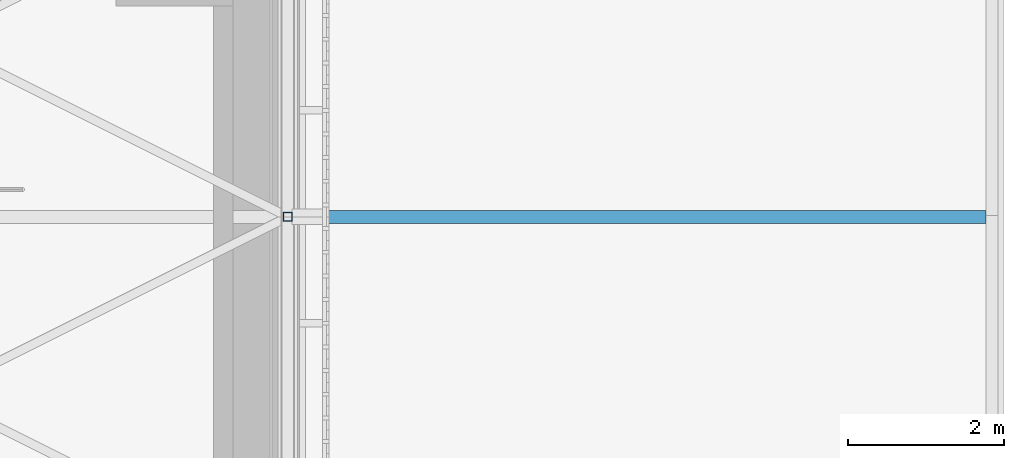
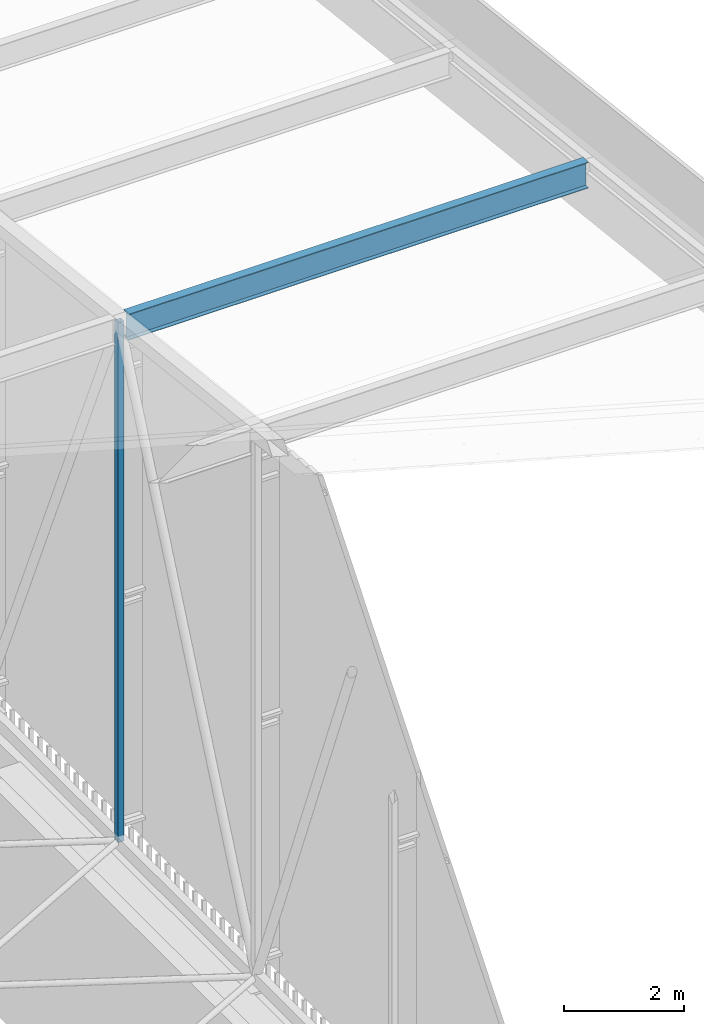
# One storey, part 391 of 500: 2 members.
"""IFC4 building model written with IfcOpenShell, lengths in metres."""

from ifc_helpers import new_model, si_unit, direction, frame, origin, origin_2d, place, context, subcontext, project, spatial, hollow_rectangle, i_section, extrude, material, material_profile, profile_set, type_object, element, save


model = new_model("IFC4")

# Units and contexts
model_context = context("Model", 3, precision=1e-05, world=origin(), true_north=direction((0.0, 1.0)))
body_context = subcontext(model_context, "Body", "Model", "MODEL_VIEW")
ifc_project = project(units=[si_unit("LENGTHUNIT", "METRE"), si_unit("AREAUNIT", "SQUARE_METRE"), si_unit("VOLUMEUNIT", "CUBIC_METRE"), si_unit("PLANEANGLEUNIT", "RADIAN"), si_unit("MASSUNIT", "GRAM", prefix="KILO")], contexts=[model_context])

# Site, building, storey
site_placement = place(None, origin())
site = spatial("IfcSite", under=ifc_project, at=site_placement, CompositionType="ELEMENT")
building_placement = place(site_placement, origin())
building = spatial("IfcBuilding", under=site, at=building_placement, Name="Shirokan Park Arena", CompositionType="ELEMENT")
storey_placement = place(building_placement, frame((0.0, 0.0, 29.1201171875)))
storey = spatial("IfcBuildingStorey", under=building, at=storey_placement, Name="L06", CompositionType="ELEMENT", Elevation=29.1201171875)

# Members
ifc_material_1 = material(Name="Steel ASTM A992", Category="steel")
ifc_material_profile_1 = material_profile(ifc_material_1, i_section(OverallWidth=0.166015625, OverallDepth=0.528076171875, WebThickness=0.009765625, FlangeThickness=0.013671875, at=origin_2d()), Name="W530X74")
ifc_profile_set_1 = profile_set([ifc_material_profile_1], Name="Steel ASTM A992")
member_type_1 = type_object("IfcMemberType", Name="Purlin W530X74", PredefinedType="PURLIN", material=ifc_profile_set_1)
member_1_placement = place(storey_placement, frame((145.72705078125, 86.449951171875, 15.0859375), z_axis=(1.0, 0.0, 0.0), x_axis=(0.0, 1.0, 0.0)))
element("IfcMember", 1, at=member_1_placement, inside=storey, type_object=member_type_1, Name="Eave purlin east 22", PredefinedType="PURLIN", context=body_context, shape_type="SweptSolid", body=[
    extrude(i_section(OverallWidth=0.166015625, OverallDepth=0.528076171875, WebThickness=0.009765625, FlangeThickness=0.013671875, at=origin_2d()), origin(), (0.0, 0.0, 1.0), 8.824951171875),
])
ifc_material_2 = material(Name="Steel ASTM A500 Grade C", Category="steel")
ifc_material_profile_2 = material_profile(ifc_material_2, hollow_rectangle(XDim=0.114013671875, YDim=0.114013671875, WallThickness=0.00634765625, at=origin_2d()), Name="HSS114.3X114.3X6.4")
ifc_profile_set_2 = profile_set([ifc_material_profile_2], Name="Steel ASTM A500 Grade C")
member_type_2 = type_object("IfcMemberType", Name="Truss post HSS114.3X114.3X6.4", PredefinedType="POST", material=ifc_profile_set_2)
member_2_placement = place(storey_placement, frame((145.60009765625, 86.449951171875, 4.677001953125), z_axis=(0.0, 0.0, 1.0), x_axis=(1.0, 0.0, 0.0)))
element("IfcMember", 2, at=member_2_placement, inside=storey, type_object=member_type_2, Name="Truss T17 post 22", PredefinedType="POST", context=body_context, shape_type="SweptSolid", body=[
    extrude(hollow_rectangle(XDim=0.114013671875, YDim=0.114013671875, WallThickness=0.00634765625, at=origin_2d()), origin(), (0.0, 0.0, 1.0), 10.5458984375),
])

save(model, "model.ifc")
